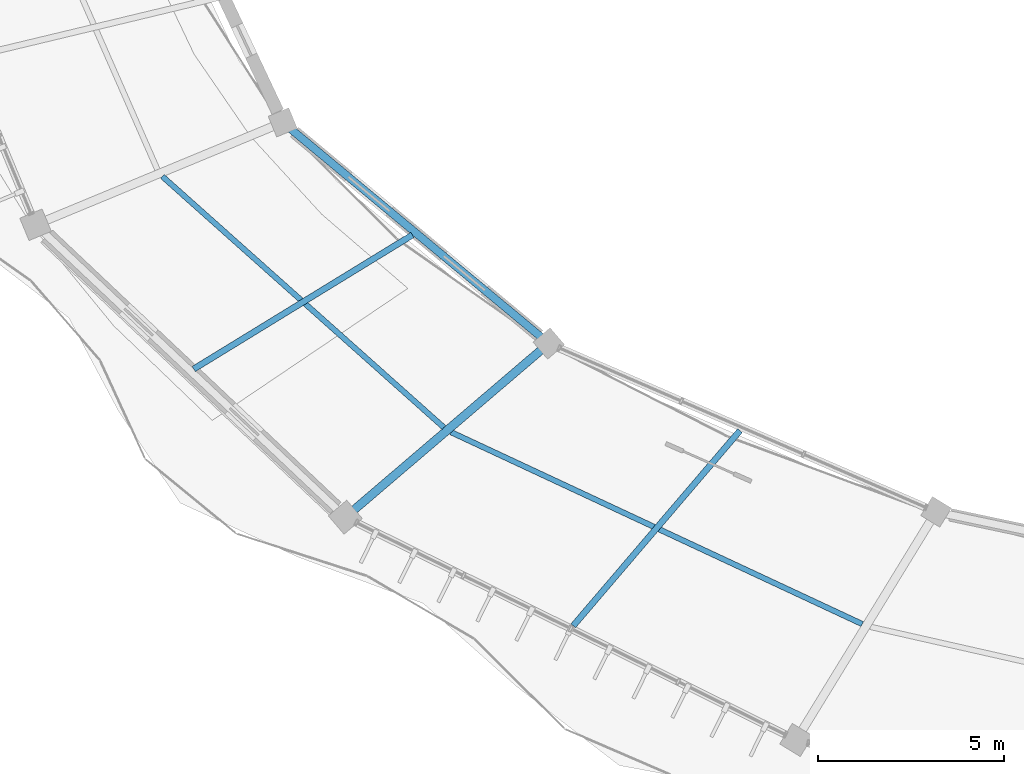
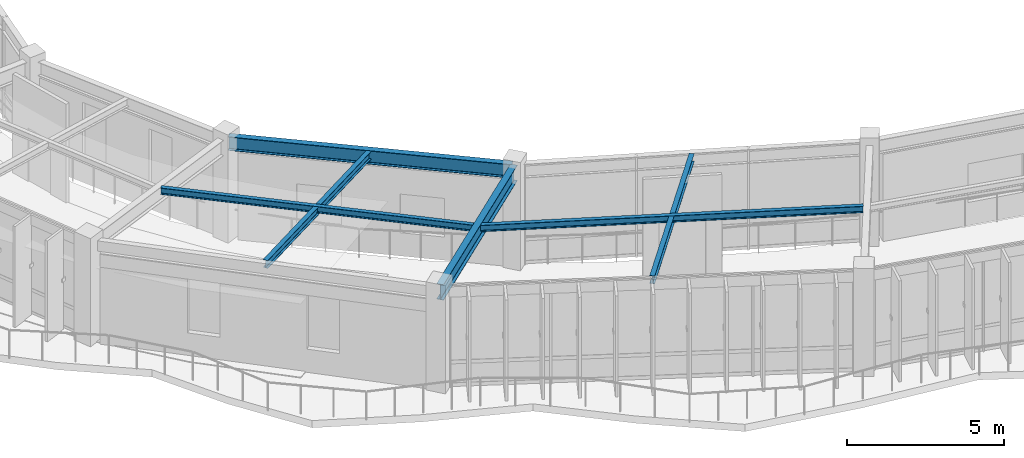
# One storey, part 31 of 114: 6 beams.
"""IFC4 building model written with IfcOpenShell, lengths in metres."""

from ifc_helpers import new_model, si_unit, direction, frame, origin, origin_2d, place, context, subcontext, project, spatial, i_section, extrude, material, material_profile, profile_set, type_object, element, save


model = new_model("IFC4")

# Units and contexts
model_context = context("Model", 3, precision=1e-05, world=origin(), true_north=direction((0.0, 1.0)))
body_context = subcontext(model_context, "Body", "Model", "MODEL_VIEW")
ifc_project = project(units=[si_unit("LENGTHUNIT", "METRE"), si_unit("AREAUNIT", "SQUARE_METRE"), si_unit("VOLUMEUNIT", "CUBIC_METRE"), si_unit("PLANEANGLEUNIT", "RADIAN"), si_unit("MASSUNIT", "GRAM", prefix="KILO"), si_unit("THERMODYNAMICTEMPERATUREUNIT", "KELVIN"), si_unit("POWERUNIT", "WATT")], contexts=[model_context])

# Site, building, storey
site_placement = place(None, origin())
site = spatial("IfcSite", under=ifc_project, at=site_placement, CompositionType="ELEMENT")
building_placement = place(site_placement, origin())
building = spatial("IfcBuilding", under=site, at=building_placement, Name="Darbajah Civic Hall", CompositionType="ELEMENT")
storey_placement = place(building_placement, frame((0.0, 0.0, 13.800048828125)))
storey = spatial("IfcBuildingStorey", under=building, at=storey_placement, Name="L03", CompositionType="ELEMENT", Elevation=13.800048828125)

# Beams
ifc_material = material(Name="Steel S355JR", Category="steel")
ifc_material_profile_1 = material_profile(ifc_material, i_section(OverallWidth=0.146484375, OverallDepth=0.256103515625, WebThickness=0.00634765625, FlangeThickness=0.010986328125, FilletRadius=0.007568359375, at=origin_2d()), Name="UB 254x146x37")
ifc_profile_set_1 = profile_set([ifc_material_profile_1], Name="Steel S355JR")
beam_type_1 = type_object("IfcBeamType", Name="UB 254x146x37", PredefinedType="JOIST", material=ifc_profile_set_1)
beam_1_placement = place(storey_placement, frame((45.394775390625, 79.811279296875, 3.7919921875), z_axis=(0.74637325764, -0.665527580405, 0.0), x_axis=(0.665527580405, 0.74637325764, 0.0)))
element("IfcBeam", 1, at=beam_1_placement, inside=storey, type_object=beam_type_1, Name="L03 beam SJ-254", PredefinedType="JOIST", context=body_context, shape_type="SweptSolid", body=[
    extrude(i_section(OverallWidth=0.146484375, OverallDepth=0.256103515625, WebThickness=0.00634765625, FlangeThickness=0.010986328125, FilletRadius=0.007568359375, at=origin_2d()), origin(), (0.0, 0.0, 1.0), 10.149658203125),
])
beam_2_placement = place(storey_placement, frame((53.161865234375, 72.93017578125, 3.7919921875), z_axis=(0.9061795649, -0.422893126164, 0.0), x_axis=(0.422893126164, 0.9061795649, 0.0)))
element("IfcBeam", 2, at=beam_2_placement, inside=storey, type_object=beam_type_1, Name="L03 beam SJ-254", PredefinedType="JOIST", context=body_context, shape_type="SweptSolid", body=[
    extrude(i_section(OverallWidth=0.146484375, OverallDepth=0.256103515625, WebThickness=0.00634765625, FlangeThickness=0.010986328125, FilletRadius=0.007568359375, at=origin_2d()), origin(), (0.0, 0.0, 1.0), 12.21240234375),
])
ifc_material_profile_2 = material_profile(ifc_material, i_section(OverallWidth=0.165771484375, OverallDepth=0.306640625, WebThickness=0.006591796875, FlangeThickness=0.01171875, FilletRadius=0.0087890625, at=origin_2d()), Name="UB 305x165x46")
ifc_profile_set_2 = profile_set([ifc_material_profile_2], Name="Steel S355JR")
beam_type_2 = type_object("IfcBeamType", Name="UB 305x165x46", PredefinedType="JOIST", material=ifc_profile_set_2)
beam_3_placement = place(storey_placement, frame((52.123779296875, 78.236328125, 3.7666015625), z_axis=(-0.852640388105, -0.522498199588, 0.0), x_axis=(0.522498199588, -0.852640388105, 0.0)))
element("IfcBeam", 3, at=beam_3_placement, inside=storey, type_object=beam_type_2, Name="L03 beam SJ-305", PredefinedType="JOIST", context=body_context, shape_type="SweptSolid", body=[
    extrude(i_section(OverallWidth=0.165771484375, OverallDepth=0.306640625, WebThickness=0.006591796875, FlangeThickness=0.01171875, FilletRadius=0.0087890625, at=origin_2d()), origin(), (0.0, 0.0, 1.0), 6.9033203125),
])
beam_4_placement = place(storey_placement, frame((60.935546875, 72.97119140625, 3.7666015625), z_axis=(-0.649438991654, -0.760413700639, 0.0), x_axis=(0.760413700639, -0.649438991654, 0.0)))
element("IfcBeam", 4, at=beam_4_placement, inside=storey, type_object=beam_type_2, Name="L03 beam SJ-305", PredefinedType="JOIST", context=body_context, shape_type="SweptSolid", body=[
    extrude(i_section(OverallWidth=0.165771484375, OverallDepth=0.306640625, WebThickness=0.006591796875, FlangeThickness=0.01171875, FilletRadius=0.0087890625, at=origin_2d()), origin(), (0.0, 0.0, 1.0), 6.903564453125),
])
ifc_material_profile_3 = material_profile(ifc_material, i_section(OverallWidth=0.209228515625, OverallDepth=0.533203125, WebThickness=0.010009765625, FlangeThickness=0.015625, FilletRadius=0.0126953125, at=origin_2d()), Name="UB 533x210x92")
ifc_profile_set_3 = profile_set([ifc_material_profile_3], Name="Steel S355JR")
beam_type_3 = type_object("IfcBeamType", Name="UB 533x210x92", PredefinedType="BEAM", material=ifc_profile_set_3)
beam_5_placement = place(storey_placement, frame((48.695556640625, 81.215087890625, 3.653564453125), z_axis=(0.769165350471, -0.63904981311, 0.0), x_axis=(0.63904981311, 0.769165350471, 0.0)))
element("IfcBeam", 5, at=beam_5_placement, inside=storey, type_object=beam_type_3, Name="L03 beam SB-533", PredefinedType="BEAM", context=body_context, shape_type="SweptSolid", body=[
    extrude(i_section(OverallWidth=0.209228515625, OverallDepth=0.533203125, WebThickness=0.010009765625, FlangeThickness=0.015625, FilletRadius=0.0126953125, at=origin_2d()), origin(), (0.0, 0.0, 1.0), 9.14892578125),
])
ifc_material_profile_4 = material_profile(ifc_material, i_section(OverallWidth=0.228271484375, OverallDepth=0.607666015625, WebThickness=0.010986328125, FlangeThickness=0.017333984375, FilletRadius=0.0126953125, at=origin_2d()), Name="UB 610x229x113")
ifc_profile_set_4 = profile_set([ifc_material_profile_4], Name="Steel S355JR")
beam_type_4 = type_object("IfcBeamType", Name="UB 610x229x113", PredefinedType="BEAM", material=ifc_profile_set_4)
beam_6_placement = place(storey_placement, frame((55.7333984375, 75.265380859375, 3.6162109375), z_axis=(-0.760413281686, -0.649439482197, 0.0), x_axis=(0.649439482197, -0.760413281686, 0.0)))
element("IfcBeam", 6, at=beam_6_placement, inside=storey, type_object=beam_type_4, Name="L03 beam SB-610", PredefinedType="BEAM", context=body_context, shape_type="SweptSolid", body=[
    extrude(i_section(OverallWidth=0.228271484375, OverallDepth=0.607666015625, WebThickness=0.010986328125, FlangeThickness=0.017333984375, FilletRadius=0.0126953125, at=origin_2d()), origin(), (0.0, 0.0, 1.0), 7.0400390625),
])

save(model, "model.ifc")
